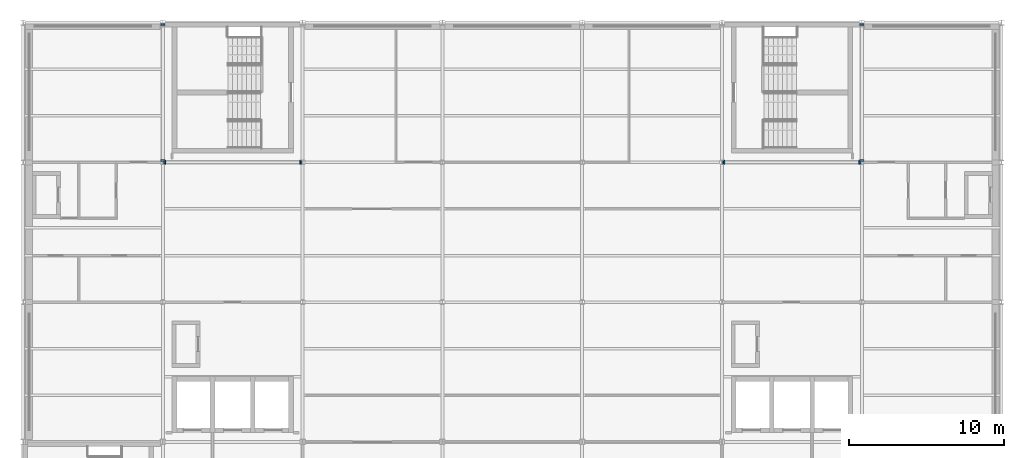
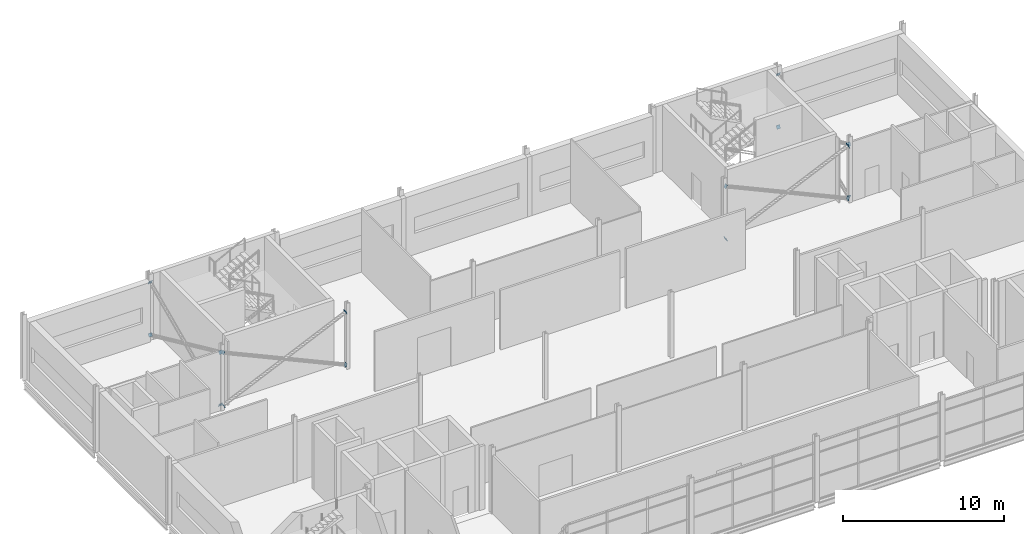
# One storey, part 58 of 61: 16 discrete accessories.
"""IFC4 building model written with IfcOpenShell, lengths in metres."""

from ifc_helpers import new_model, si_unit, direction, frame, origin, place, context, subcontext, project, spatial, polyline, outline, extrude, material, layer, layer_set, type_object, element, save


model = new_model("IFC4")

# Units and contexts
model_context = context("Model", 3, precision=1e-05, world=origin(), true_north=direction((0.0, 1.0)))
body_context = subcontext(model_context, "Body", "Model", "MODEL_VIEW")
ifc_project = project(units=[si_unit("LENGTHUNIT", "METRE"), si_unit("AREAUNIT", "SQUARE_METRE"), si_unit("VOLUMEUNIT", "CUBIC_METRE"), si_unit("PLANEANGLEUNIT", "RADIAN"), si_unit("MASSUNIT", "GRAM", prefix="KILO")], contexts=[model_context])

# Site, building, storey
site_placement = place(None, origin())
site = spatial("IfcSite", under=ifc_project, at=site_placement, CompositionType="ELEMENT")
building_placement = place(site_placement, origin())
building = spatial("IfcBuilding", under=site, at=building_placement, Name="Shorebreak Coast Museum", CompositionType="ELEMENT")
storey_placement = place(building_placement, frame((0.0, 0.0, 26.0)))
storey = spatial("IfcBuildingStorey", under=building, at=storey_placement, Name="L04", CompositionType="ELEMENT", Elevation=26.0)

# Discrete accessories
ifc_material = material(Name="Steel Grade 300", Category="steel")
ifc_layer = layer(ifc_material, 0.02490234375)
ifc_layer_set = layer_set([ifc_layer], Name="Steel Grade 300")
discrete_accessory_type = type_object("IfcDiscreteAccessoryType", Name="End plate 250 x 250 x 25", PredefinedType="BRACKET", material=ifc_layer_set)
discrete_accessory_1_placement = place(storey_placement, frame((63.1796875, 107.875, 0.186279296875), z_axis=(0.910600553361, 0.0, 0.413287590206), x_axis=(0.0, 1.0, 0.0)))
element("IfcDiscreteAccessory", 1, at=discrete_accessory_1_placement, inside=storey, type_object=discrete_accessory_type, Name="End plate X-brace bay 09 L04 diagonal 1 end 1", PredefinedType="BRACKET", context=body_context, shape_type="SweptSolid", body=[
    extrude(outline(polyline([(0.0, 0.0), (0.25, 0.0), (0.25, 0.24987801913812824), (0.0, 0.24987801913812824), (0.0, 0.0)])), origin(), (0.0, 0.0, -1.0), 0.02490234375),
])
discrete_accessory_2_placement = place(storey_placement, frame((71.946533203125, 107.875, 4.171630859375), z_axis=(0.910232642969, 0.0, 0.414097253883), x_axis=(0.0, 1.0, 0.0)))
element("IfcDiscreteAccessory", 2, at=discrete_accessory_2_placement, inside=storey, type_object=discrete_accessory_type, Name="End plate X-brace bay 09 L04 diagonal 1 end 2", PredefinedType="BRACKET", context=body_context, shape_type="SweptSolid", body=[
    extrude(outline(polyline([(0.0, 0.0), (0.25, 0.0), (0.25, 0.24997901828457428), (0.0, 0.24997901828457428), (0.0, 0.0)])), origin(), (0.0, 0.0, -1.0), 0.02490234375),
])
discrete_accessory_3_placement = place(storey_placement, frame((71.8203125, 108.125, 0.186279296875), z_axis=(-0.910600553361, 0.0, 0.413287590206), x_axis=(0.0, -1.0, 0.0)))
element("IfcDiscreteAccessory", 3, at=discrete_accessory_3_placement, inside=storey, type_object=discrete_accessory_type, Name="End plate X-brace bay 09 L04 diagonal 2 end 1", PredefinedType="BRACKET", context=body_context, shape_type="SweptSolid", body=[
    extrude(outline(polyline([(0.0, 0.0), (0.25, 0.0), (0.25, 0.24987801913812824), (0.0, 0.24987801913812824), (0.0, 0.0)])), origin(), (0.0, 0.0, -1.0), 0.02490234375),
])
discrete_accessory_4_placement = place(storey_placement, frame((63.053466796875, 108.125, 4.171630859375), z_axis=(-0.910232642969, 0.0, 0.414097253883), x_axis=(0.0, -1.0, 0.0)))
element("IfcDiscreteAccessory", 4, at=discrete_accessory_4_placement, inside=storey, type_object=discrete_accessory_type, Name="End plate X-brace bay 09 L04 diagonal 2 end 2", PredefinedType="BRACKET", context=body_context, shape_type="SweptSolid", body=[
    extrude(outline(polyline([(0.0, 0.0), (0.25, 0.0), (0.25, 0.24997901828457428), (0.0, 0.24997901828457428), (0.0, 0.0)])), origin(), (0.0, 0.0, -1.0), 0.02490234375),
])
discrete_accessory_5_placement = place(storey_placement, frame((63.125, 108.181884765625, 0.186279296875), z_axis=(0.0, 0.909864310999, 0.41490593581), x_axis=(-1.0, 0.0, 0.0)))
element("IfcDiscreteAccessory", 5, at=discrete_accessory_5_placement, inside=storey, type_object=discrete_accessory_type, Name="End plate X-brace bay 10 L04 diagonal 1 end 1", PredefinedType="BRACKET", context=body_context, shape_type="SweptSolid", body=[
    extrude(outline(polyline([(0.0, 0.0), (0.25, 0.0), (0.25, 0.2500802149829807), (0.0, 0.2500802149829807), (0.0, 0.0)])), origin(), (0.0, 0.0, -1.0), 0.02490234375),
])
discrete_accessory_6_placement = place(storey_placement, frame((63.125, 116.9111328125, 4.171630859375), z_axis=(0.0, 0.909495559707, 0.41571363566), x_axis=(-1.0, 0.0, 0.0)))
element("IfcDiscreteAccessory", 6, at=discrete_accessory_6_placement, inside=storey, type_object=discrete_accessory_type, Name="End plate X-brace bay 10 L04 diagonal 1 end 2", PredefinedType="BRACKET", context=body_context, shape_type="SweptSolid", body=[
    extrude(outline(polyline([(0.0, 0.0), (0.25, 0.0), (0.25, 0.2501816089936223), (0.0, 0.2501816089936223), (0.0, 0.0)])), origin(), (0.0, 0.0, -1.0), 0.02490234375),
])
for number, where, z_axis, x_axis, name in (
    (7, (62.875, 116.784423828125, 0.186279296875), (0.0, -0.909864310999, 0.41490593581), (1.0, 0.0, 0.0), "End plate X-brace bay 10 L04 diagonal 2 end 1"),
    (8, (62.875, 108.055419921875, 4.171630859375), (0.0, -0.909864310999, 0.41490593581), (1.0, 0.0, 0.0), "End plate X-brace bay 10 L04 diagonal 2 end 2"),
):
    element("IfcDiscreteAccessory", number, at=place(storey_placement, frame(where, z_axis=z_axis, x_axis=x_axis)), inside=storey, type_object=discrete_accessory_type, Name=name, PredefinedType="BRACKET", context=body_context, shape_type="SweptSolid", body=[
        extrude(outline(polyline([(0.0, 0.0), (0.25, 0.0), (0.25, 0.2500802149829807), (0.0, 0.2500802149829807), (0.0, 0.0)])), origin(), (0.0, 0.0, -1.0), 0.02490234375),
    ])
discrete_accessory_7_placement = place(storey_placement, frame((99.1796875, 107.875, 0.186279296875), z_axis=(0.910600553361, 0.0, 0.413287590206), x_axis=(0.0, 1.0, 0.0)))
element("IfcDiscreteAccessory", 9, at=discrete_accessory_7_placement, inside=storey, type_object=discrete_accessory_type, Name="End plate X-brace bay 11 L04 diagonal 1 end 1", PredefinedType="BRACKET", context=body_context, shape_type="SweptSolid", body=[
    extrude(outline(polyline([(0.0, 0.0), (0.25, 0.0), (0.25, 0.24987801913812824), (0.0, 0.24987801913812824), (0.0, 0.0)])), origin(), (0.0, 0.0, -1.0), 0.02490234375),
])
discrete_accessory_8_placement = place(storey_placement, frame((107.946533203125, 107.875, 4.171630859375), z_axis=(0.910232642969, 0.0, 0.414097253883), x_axis=(0.0, 1.0, 0.0)))
element("IfcDiscreteAccessory", 10, at=discrete_accessory_8_placement, inside=storey, type_object=discrete_accessory_type, Name="End plate X-brace bay 11 L04 diagonal 1 end 2", PredefinedType="BRACKET", context=body_context, shape_type="SweptSolid", body=[
    extrude(outline(polyline([(0.0, 0.0), (0.25, 0.0), (0.25, 0.24997901828457428), (0.0, 0.24997901828457428), (0.0, 0.0)])), origin(), (0.0, 0.0, -1.0), 0.02490234375),
])
discrete_accessory_9_placement = place(storey_placement, frame((107.8203125, 108.125, 0.186279296875), z_axis=(-0.910600553361, 0.0, 0.413287590206), x_axis=(0.0, -1.0, 0.0)))
element("IfcDiscreteAccessory", 11, at=discrete_accessory_9_placement, inside=storey, type_object=discrete_accessory_type, Name="End plate X-brace bay 11 L04 diagonal 2 end 1", PredefinedType="BRACKET", context=body_context, shape_type="SweptSolid", body=[
    extrude(outline(polyline([(0.0, 0.0), (0.25, 0.0), (0.25, 0.24987801913812824), (0.0, 0.24987801913812824), (0.0, 0.0)])), origin(), (0.0, 0.0, -1.0), 0.02490234375),
])
discrete_accessory_10_placement = place(storey_placement, frame((99.053466796875, 108.125, 4.171630859375), z_axis=(-0.910232642969, 0.0, 0.414097253883), x_axis=(0.0, -1.0, 0.0)))
element("IfcDiscreteAccessory", 12, at=discrete_accessory_10_placement, inside=storey, type_object=discrete_accessory_type, Name="End plate X-brace bay 11 L04 diagonal 2 end 2", PredefinedType="BRACKET", context=body_context, shape_type="SweptSolid", body=[
    extrude(outline(polyline([(0.0, 0.0), (0.25, 0.0), (0.25, 0.24997901828457428), (0.0, 0.24997901828457428), (0.0, 0.0)])), origin(), (0.0, 0.0, -1.0), 0.02490234375),
])
discrete_accessory_11_placement = place(storey_placement, frame((108.125, 108.181884765625, 0.186279296875), z_axis=(0.0, 0.909864310999, 0.41490593581), x_axis=(-1.0, 0.0, 0.0)))
element("IfcDiscreteAccessory", 13, at=discrete_accessory_11_placement, inside=storey, type_object=discrete_accessory_type, Name="End plate X-brace bay 12 L04 diagonal 1 end 1", PredefinedType="BRACKET", context=body_context, shape_type="SweptSolid", body=[
    extrude(outline(polyline([(0.0, 0.0), (0.25, 0.0), (0.25, 0.2500802149829807), (0.0, 0.2500802149829807), (0.0, 0.0)])), origin(), (0.0, 0.0, -1.0), 0.02490234375),
])
discrete_accessory_12_placement = place(storey_placement, frame((108.125, 116.9111328125, 4.171630859375), z_axis=(0.0, 0.909495559707, 0.41571363566), x_axis=(-1.0, 0.0, 0.0)))
element("IfcDiscreteAccessory", 14, at=discrete_accessory_12_placement, inside=storey, type_object=discrete_accessory_type, Name="End plate X-brace bay 12 L04 diagonal 1 end 2", PredefinedType="BRACKET", context=body_context, shape_type="SweptSolid", body=[
    extrude(outline(polyline([(0.0, 0.0), (0.25, 0.0), (0.25, 0.2501816089936223), (0.0, 0.2501816089936223), (0.0, 0.0)])), origin(), (0.0, 0.0, -1.0), 0.02490234375),
])
for number, where, z_axis, x_axis, name in (
    (15, (107.875, 116.784423828125, 0.186279296875), (0.0, -0.909864310999, 0.41490593581), (1.0, 0.0, 0.0), "End plate X-brace bay 12 L04 diagonal 2 end 1"),
    (16, (107.875, 108.055419921875, 4.171630859375), (0.0, -0.909864310999, 0.41490593581), (1.0, 0.0, 0.0), "End plate X-brace bay 12 L04 diagonal 2 end 2"),
):
    element("IfcDiscreteAccessory", number, at=place(storey_placement, frame(where, z_axis=z_axis, x_axis=x_axis)), inside=storey, type_object=discrete_accessory_type, Name=name, PredefinedType="BRACKET", context=body_context, shape_type="SweptSolid", body=[
        extrude(outline(polyline([(0.0, 0.0), (0.25, 0.0), (0.25, 0.2500802149829807), (0.0, 0.2500802149829807), (0.0, 0.0)])), origin(), (0.0, 0.0, -1.0), 0.02490234375),
    ])

save(model, "model.ifc")
